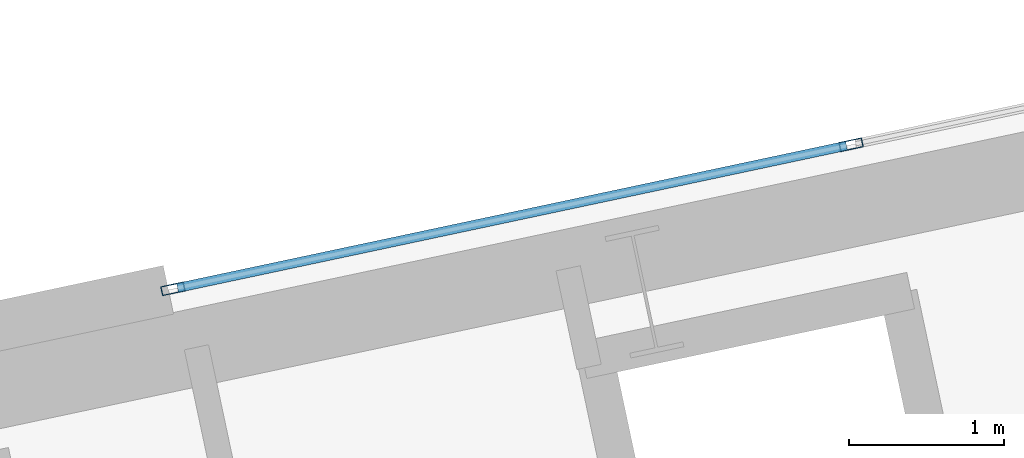
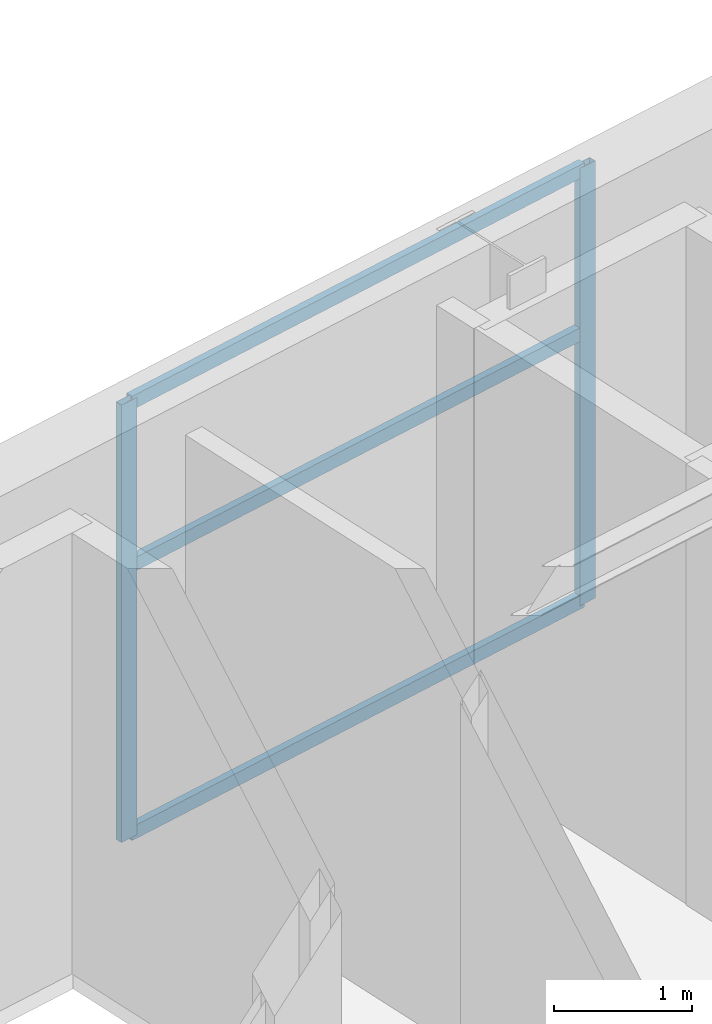
# One storey, part 6 of 22: 5 members, 1 element without a shape of its own.
"""IFC4 building model written with IfcOpenShell, lengths in metres."""

from ifc_helpers import new_model, si_unit, direction, frame, origin, origin_2d, place, context, subcontext, project, spatial, hollow_rectangle, extrude, material, layer, layer_set, material_profile, profile_set, type_object, element, aggregate, save


model = new_model("IFC4")

# Units and contexts
model_context = context("Model", 3, precision=1e-05, world=origin(), true_north=direction((0.0, 1.0)))
body_context = subcontext(model_context, "Body", "Model", "MODEL_VIEW")
ifc_project = project(units=[si_unit("LENGTHUNIT", "METRE"), si_unit("AREAUNIT", "SQUARE_METRE"), si_unit("VOLUMEUNIT", "CUBIC_METRE"), si_unit("PLANEANGLEUNIT", "RADIAN"), si_unit("MASSUNIT", "GRAM", prefix="KILO")], contexts=[model_context])

# Site, building, storey
site_placement = place(None, origin())
site = spatial("IfcSite", under=ifc_project, at=site_placement, CompositionType="ELEMENT")
building_placement = place(site_placement, origin())
building = spatial("IfcBuilding", under=site, at=building_placement, Name="Haevon Station Towers", CompositionType="ELEMENT")
storey_placement = place(building_placement, frame((0.0, 0.0, 133.800048828125)))
storey = spatial("IfcBuildingStorey", under=building, at=storey_placement, Name="L36", CompositionType="ELEMENT", Elevation=133.800048828125)

# Curtain wall, members
ifc_material_1 = material(Name="Anodised aluminium and Low-E double glazing", Category="aluminium")
ifc_layer = layer(ifc_material_1, 0.179931640625)
ifc_layer_set = layer_set([ifc_layer], Name="Anodised aluminium and Low-E double glazing")
curtain_wall_type = type_object("IfcCurtainWallType", Name="CW-SYS5", PredefinedType="NOTDEFINED", material=ifc_layer_set)
curtain_wall_placement = place(storey_placement, origin())
curtain_wall = element("IfcCurtainWall", 1, at=curtain_wall_placement, inside=storey, type_object=curtain_wall_type, Name="L36 Curtain Wall CW-T2-L36-N", PredefinedType="NOTDEFINED")
ifc_material_2 = material(Name="Anodised aluminium 6063-T6", Category="aluminium")
ifc_material_profile_1 = material_profile(ifc_material_2, hollow_rectangle(XDim=0.06005859375, YDim=0.14990234375, WallThickness=0.00341796875, at=origin_2d()), Name="CWM-150x60x3.5")
ifc_profile_set_1 = profile_set([ifc_material_profile_1], Name="Anodised aluminium 6063-T6")
member_type_1 = type_object("IfcMemberType", Name="CWM-150", PredefinedType="MULLION", material=ifc_profile_set_1)
member_1_placement = place(storey_placement, frame((104.03857421875, 48.78955078125, 0.0), z_axis=(0.0, 0.0, 1.0), x_axis=(-0.207911783211, 0.978147581095, 0.0)))
member_1 = element("IfcMember", 2, at=member_1_placement, type_object=member_type_1, Name="CW-SYS5 mullion 1", PredefinedType="MULLION", context=body_context, shape_type="SweptSolid", body=[
    extrude(hollow_rectangle(XDim=0.06005859375, YDim=0.14990234375, WallThickness=0.00341796875, at=origin_2d()), origin(), (0.0, 0.0, 1.0), 3.869873046875),
])
member_2_placement = place(storey_placement, frame((108.410888671875, 49.71875, 0.0), z_axis=(0.0, 0.0, 1.0), x_axis=(-0.207911783211, 0.978147581095, 0.0)))
member_2 = element("IfcMember", 3, at=member_2_placement, type_object=member_type_1, Name="CW-SYS5 mullion 2", PredefinedType="MULLION", context=body_context, shape_type="SweptSolid", body=[
    extrude(hollow_rectangle(XDim=0.06005859375, YDim=0.14990234375, WallThickness=0.00341796875, at=origin_2d()), origin(), (0.0, 0.0, 1.0), 3.869873046875),
])
ifc_material_profile_2 = material_profile(ifc_material_2, hollow_rectangle(XDim=0.06005859375, YDim=0.1201171875, WallThickness=0.0029296875, at=origin_2d()), Name="CWT-120x60x3")
ifc_profile_set_2 = profile_set([ifc_material_profile_2], Name="Anodised aluminium 6063-T6")
member_type_2 = type_object("IfcMemberType", Name="CWT-120", PredefinedType="USERDEFINED", material=ifc_profile_set_2)
member_3_placement = place(storey_placement, frame((104.068115234375, 48.795654296875, 0.030029296875), z_axis=(0.978141400356, 0.207940859165, 0.0), x_axis=(-0.207940859165, 0.978141400356, 0.0)))
member_3 = element("IfcMember", 4, at=member_3_placement, type_object=member_type_2, Name="CW-SYS5 transom 1.1", ObjectType="TRANSOM", PredefinedType="USERDEFINED", context=body_context, shape_type="SweptSolid", body=[
    extrude(hollow_rectangle(XDim=0.06005859375, YDim=0.1201171875, WallThickness=0.0029296875, at=origin_2d()), origin(), (0.0, 0.0, 1.0), 4.409912109375),
])
member_4_placement = place(storey_placement, frame((104.068115234375, 48.795654296875, 2.3994140625), z_axis=(0.978141400356, 0.207940859165, 0.0), x_axis=(-0.207940859165, 0.978141400356, 0.0)))
member_4 = element("IfcMember", 5, at=member_4_placement, type_object=member_type_2, Name="CW-SYS5 transom 1.2", ObjectType="TRANSOM", PredefinedType="USERDEFINED", context=body_context, shape_type="SweptSolid", body=[
    extrude(hollow_rectangle(XDim=0.06005859375, YDim=0.1201171875, WallThickness=0.0029296875, at=origin_2d()), origin(), (0.0, 0.0, 1.0), 4.409912109375),
])
member_5_placement = place(storey_placement, frame((104.068115234375, 48.795654296875, 3.83984375), z_axis=(0.978141400356, 0.207940859165, 0.0), x_axis=(-0.207940859165, 0.978141400356, 0.0)))
member_5 = element("IfcMember", 6, at=member_5_placement, type_object=member_type_2, Name="CW-SYS5 transom 1.3", ObjectType="TRANSOM", PredefinedType="USERDEFINED", context=body_context, shape_type="SweptSolid", body=[
    extrude(hollow_rectangle(XDim=0.06005859375, YDim=0.1201171875, WallThickness=0.0029296875, at=origin_2d()), origin(), (0.0, 0.0, 1.0), 4.409912109375),
])
aggregate(curtain_wall, [member_1, member_2, member_3, member_4, member_5])

save(model, "model.ifc")
